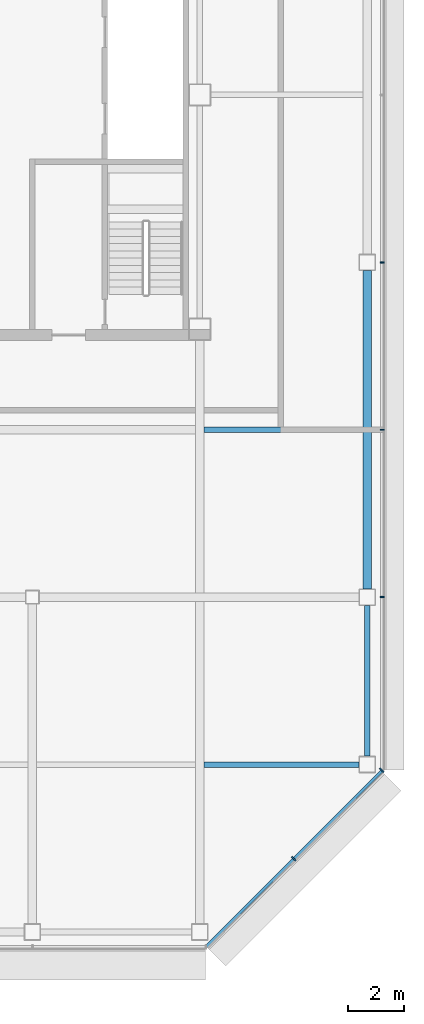
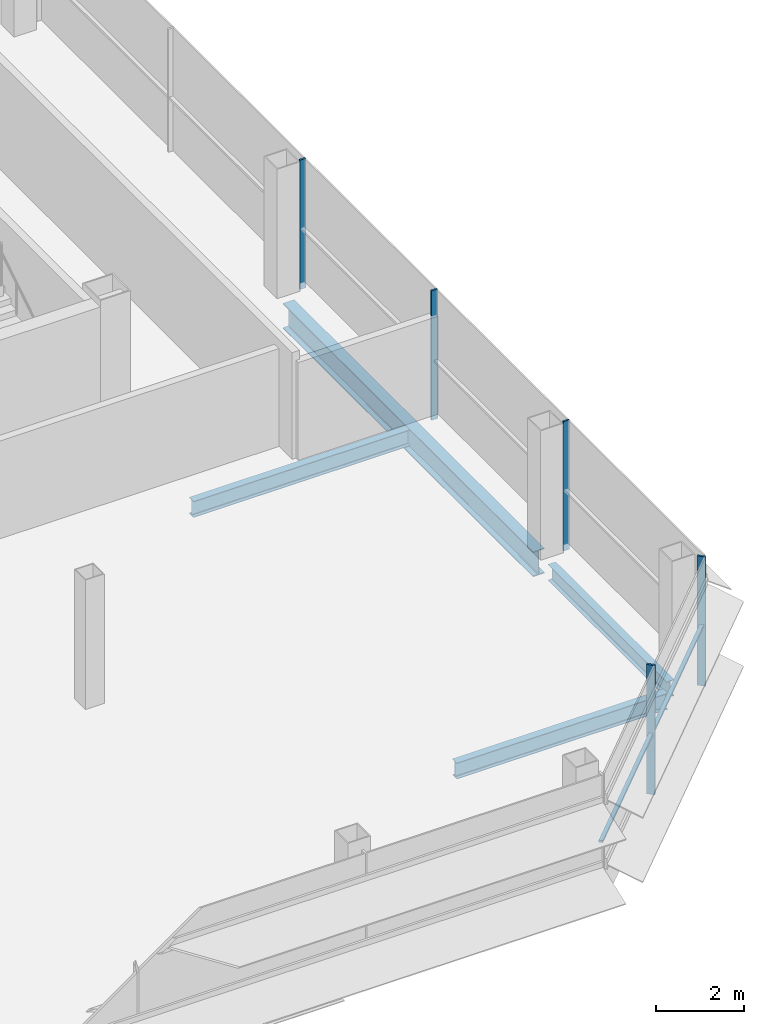
# One storey, part 16 of 27: 6 members, 4 beams, 2 elements without a shape of their own.
"""IFC4 building model written with IfcOpenShell, lengths in metres."""

from ifc_helpers import new_model, si_unit, direction, frame, origin, origin_2d, place, context, subcontext, project, spatial, rectangle, i_section, extrude, material, material_profile, profile_set, type_object, element, aggregate, save


model = new_model("IFC4")

# Units and contexts
model_context = context("Model", 3, precision=1e-05, world=origin(), true_north=direction((0.0, 1.0)))
body_context = subcontext(model_context, "Body", "Model", "MODEL_VIEW")
ifc_project = project(units=[si_unit("LENGTHUNIT", "METRE"), si_unit("AREAUNIT", "SQUARE_METRE"), si_unit("VOLUMEUNIT", "CUBIC_METRE"), si_unit("PLANEANGLEUNIT", "RADIAN"), si_unit("MASSUNIT", "GRAM", prefix="KILO")], contexts=[model_context])

# Site, building, storey
site_placement = place(None, origin())
site = spatial("IfcSite", under=ifc_project, at=site_placement, CompositionType="ELEMENT")
building_placement = place(site_placement, origin())
building = spatial("IfcBuilding", under=site, at=building_placement, Name="Sorahane Residences", CompositionType="ELEMENT")
storey_placement = place(building_placement, frame((0.0, 0.0, 298.0)))
storey = spatial("IfcBuildingStorey", under=building, at=storey_placement, Name="L70", CompositionType="ELEMENT", Elevation=298.0)

# Curtain wall, members
ifc_material_1 = material(Name="Dark low-e glass and black anodised aluminium", Category="aluminium")
curtain_wall_type_1 = type_object("IfcCurtainWallType", Name="Curtain wall CW-1 Typical unitised wall", PredefinedType="NOTDEFINED", material=ifc_material_1)
curtain_wall_1_placement = place(storey_placement, origin())
curtain_wall_1 = element("IfcCurtainWall", 1, at=curtain_wall_1_placement, inside=storey, type_object=curtain_wall_type_1, Name="CW-1 curtain wall L70 E2", PredefinedType="NOTDEFINED")
ifc_material_2 = material(Name="Black anodised aluminium", Category="aluminium")
ifc_material_profile_1 = material_profile(ifc_material_2, rectangle(XDim=0.159912109375, YDim=0.050048828125, at=origin_2d()), Name="Curtain wall mullion CW-1 black anodised aluminium 50x160")
ifc_profile_set_1 = profile_set([ifc_material_profile_1], Name="Black anodised aluminium")
member_type_1 = type_object("IfcMemberType", Name="Curtain wall mullion CW-1 black anodised aluminium 50x160", PredefinedType="MULLION", material=ifc_profile_set_1)
member_1_placement = place(storey_placement, frame((48.5400390625, 12.0, -0.179931640625), z_axis=(0.0, 0.0, 1.0), x_axis=(1.0, 0.0, 0.0)))
member_1 = element("IfcMember", 2, at=member_1_placement, type_object=member_type_1, Name="CW-1 mullion L70 E2.2", PredefinedType="MULLION", context=body_context, shape_type="SweptSolid", body=[
    extrude(rectangle(XDim=0.159912109375, YDim=0.050048828125, at=origin_2d()), origin(), (0.0, 0.0, 1.0), 3.599853515625),
])
member_2_placement = place(storey_placement, frame((48.5400390625, 18.0, -0.179931640625), z_axis=(0.0, 0.0, 1.0), x_axis=(1.0, 0.0, 0.0)))
member_2 = element("IfcMember", 3, at=member_2_placement, type_object=member_type_1, Name="CW-1 mullion L70 E2.3", PredefinedType="MULLION", context=body_context, shape_type="SweptSolid", body=[
    extrude(rectangle(XDim=0.159912109375, YDim=0.050048828125, at=origin_2d()), origin(), (0.0, 0.0, 1.0), 3.599853515625),
])
member_3_placement = place(storey_placement, frame((48.5400390625, 24.0, -0.179931640625), z_axis=(0.0, 0.0, 1.0), x_axis=(1.0, 0.0, 0.0)))
member_3 = element("IfcMember", 4, at=member_3_placement, type_object=member_type_1, Name="CW-1 mullion L70 E2.4", PredefinedType="MULLION", context=body_context, shape_type="SweptSolid", body=[
    extrude(rectangle(XDim=0.159912109375, YDim=0.050048828125, at=origin_2d()), origin(), (0.0, 0.0, 1.0), 3.599853515625),
])
aggregate(curtain_wall_1, [member_1, member_2, member_3])

ifc_material_3 = material(Name="Dark low-e glass and black anodised aluminium", Category="aluminium")
curtain_wall_type_2 = type_object("IfcCurtainWallType", Name="Curtain wall CW-2 Chamfer unitised wall", PredefinedType="NOTDEFINED", material=ifc_material_3)
curtain_wall_2_placement = place(storey_placement, origin())
curtain_wall_2 = element("IfcCurtainWall", 5, at=curtain_wall_2_placement, inside=storey, type_object=curtain_wall_type_2, Name="CW-2 curtain wall L70 SE1", PredefinedType="NOTDEFINED")
ifc_material_4 = material(Name="Black anodised aluminium", Category="aluminium")
ifc_material_profile_2 = material_profile(ifc_material_4, rectangle(XDim=0.199951171875, YDim=0.050048828125, at=origin_2d()), Name="Curtain wall mullion CW-2 black anodised aluminium 50x200")
ifc_profile_set_2 = profile_set([ifc_material_profile_2], Name="Black anodised aluminium")
member_type_2 = type_object("IfcMemberType", Name="Curtain wall mullion CW-2 black anodised aluminium 50x200", PredefinedType="MULLION", material=ifc_profile_set_2)
member_4_placement = place(storey_placement, frame((45.36767578125, 2.63232421875, -0.179931640625), z_axis=(0.0, 0.0, 1.0), x_axis=(0.707106781187, -0.707106781187, 0.0)))
member_4 = element("IfcMember", 6, at=member_4_placement, type_object=member_type_2, Name="CW-2 mullion L70 SE1.2", PredefinedType="MULLION", context=body_context, shape_type="SweptSolid", body=[
    extrude(rectangle(XDim=0.199951171875, YDim=0.050048828125, at=origin_2d()), origin(), (0.0, 0.0, 1.0), 3.599853515625),
])
member_5_placement = place(storey_placement, frame((48.525634765625, 5.790283203125, -0.179931640625), z_axis=(0.0, 0.0, 1.0), x_axis=(0.707106781187, -0.707106781187, 0.0)))
member_5 = element("IfcMember", 7, at=member_5_placement, type_object=member_type_2, Name="CW-2 mullion L70 SE1.3", PredefinedType="MULLION", context=body_context, shape_type="SweptSolid", body=[
    extrude(rectangle(XDim=0.199951171875, YDim=0.050048828125, at=origin_2d()), origin(), (0.0, 0.0, 1.0), 3.599853515625),
])
ifc_material_5 = material(Name="Black anodised aluminium", Category="aluminium")
ifc_material_profile_3 = material_profile(ifc_material_5, rectangle(XDim=0.10009765625, YDim=0.06005859375, at=origin_2d()), Name="Curtain wall transom CW-2 black anodised aluminium 60x100")
ifc_profile_set_3 = profile_set([ifc_material_profile_3], Name="Black anodised aluminium")
member_type_3 = type_object("IfcMemberType", Name="Curtain wall transom CW-2 black anodised aluminium 60x100", PredefinedType="USERDEFINED", material=ifc_profile_set_3)
member_6_placement = place(storey_placement, frame((42.234375, -0.51513671875, 1.5), z_axis=(0.707106781187, 0.707106781187, 0.0), x_axis=(-0.707106781187, 0.707106781187, 0.0)))
member_6 = element("IfcMember", 8, at=member_6_placement, type_object=member_type_3, Name="CW-2 transom L70 SE1", ObjectType="TRANSOM", PredefinedType="USERDEFINED", context=body_context, shape_type="SweptSolid", body=[
    extrude(rectangle(XDim=0.10009765625, YDim=0.06005859375, at=origin_2d()), origin(), (0.0, 0.0, 1.0), 8.88232421875),
])
aggregate(curtain_wall_2, [member_4, member_5, member_6])

# Beams
ifc_material_6 = material(Name="Steel Q355B", Category="steel")
ifc_material_profile_4 = material_profile(ifc_material_6, i_section(OverallWidth=0.199951171875, OverallDepth=0.449951171875, WebThickness=0.009033203125, FlangeThickness=0.013916015625, FilletRadius=0.02001953125, at=origin_2d()), Name="HN 450x200x9x14")
ifc_profile_set_4 = profile_set([ifc_material_profile_4], Name="Steel Q355B")
beam_type_1 = type_object("IfcBeamType", Name="Steel floor beam HN 450x200x9x14 Q355B", PredefinedType="BEAM", material=ifc_profile_set_4)
beam_1_placement = place(storey_placement, frame((48.0, 6.300048828125, -0.405029296875), z_axis=(0.0, 1.0, 0.0), x_axis=(-1.0, 0.0, 0.0)))
element("IfcBeam", 9, at=beam_1_placement, inside=storey, type_object=beam_type_1, Name="Beam L70 060", PredefinedType="BEAM", context=body_context, shape_type="SweptSolid", body=[
    extrude(i_section(OverallWidth=0.199951171875, OverallDepth=0.449951171875, WebThickness=0.009033203125, FlangeThickness=0.013916015625, FilletRadius=0.02001953125, at=origin_2d()), origin(), (0.0, 0.0, 1.0), 5.39990234375),
])
beam_2_placement = place(storey_placement, frame((42.14990234375, 6.0, -0.405029296875), z_axis=(1.0, 0.0, 0.0), x_axis=(0.0, 1.0, 0.0)))
element("IfcBeam", 10, at=beam_2_placement, inside=storey, type_object=beam_type_1, Name="Beam L70 071", PredefinedType="BEAM", context=body_context, shape_type="SweptSolid", body=[
    extrude(i_section(OverallWidth=0.199951171875, OverallDepth=0.449951171875, WebThickness=0.009033203125, FlangeThickness=0.013916015625, FilletRadius=0.02001953125, at=origin_2d()), origin(), (0.0, 0.0, 1.0), 5.550048828125),
])
beam_3_placement = place(storey_placement, frame((42.14990234375, 18.0, -0.405029296875), z_axis=(1.0, 0.0, 0.0), x_axis=(0.0, 1.0, 0.0)))
element("IfcBeam", 11, at=beam_3_placement, inside=storey, type_object=beam_type_1, Name="Beam L70 078", PredefinedType="BEAM", context=body_context, shape_type="SweptSolid", body=[
    extrude(i_section(OverallWidth=0.199951171875, OverallDepth=0.449951171875, WebThickness=0.009033203125, FlangeThickness=0.013916015625, FilletRadius=0.02001953125, at=origin_2d()), origin(), (0.0, 0.0, 1.0), 5.7001953125),
])
ifc_material_7 = material(Name="Steel Q355B", Category="steel")
ifc_material_profile_5 = material_profile(ifc_material_7, i_section(OverallWidth=0.300048828125, OverallDepth=0.699951171875, WebThickness=0.012939453125, FlangeThickness=0.02392578125, FilletRadius=0.028076171875, at=origin_2d()), Name="HN 700x300x13x24")
ifc_profile_set_5 = profile_set([ifc_material_profile_5], Name="Steel Q355B")
beam_type_2 = type_object("IfcBeamType", Name="Steel floor beam HN 700x300x13x24 Q355B", PredefinedType="BEAM", material=ifc_profile_set_5)
beam_4_placement = place(storey_placement, frame((48.0, 12.300048828125, -0.530029296875), z_axis=(0.0, 1.0, 0.0), x_axis=(-1.0, 0.0, 0.0)))
element("IfcBeam", 12, at=beam_4_placement, inside=storey, type_object=beam_type_2, Name="Beam L70 061", PredefinedType="BEAM", context=body_context, shape_type="SweptSolid", body=[
    extrude(i_section(OverallWidth=0.300048828125, OverallDepth=0.699951171875, WebThickness=0.012939453125, FlangeThickness=0.02392578125, FilletRadius=0.028076171875, at=origin_2d()), origin(), (0.0, 0.0, 1.0), 11.39990234375),
])

save(model, "model.ifc")
